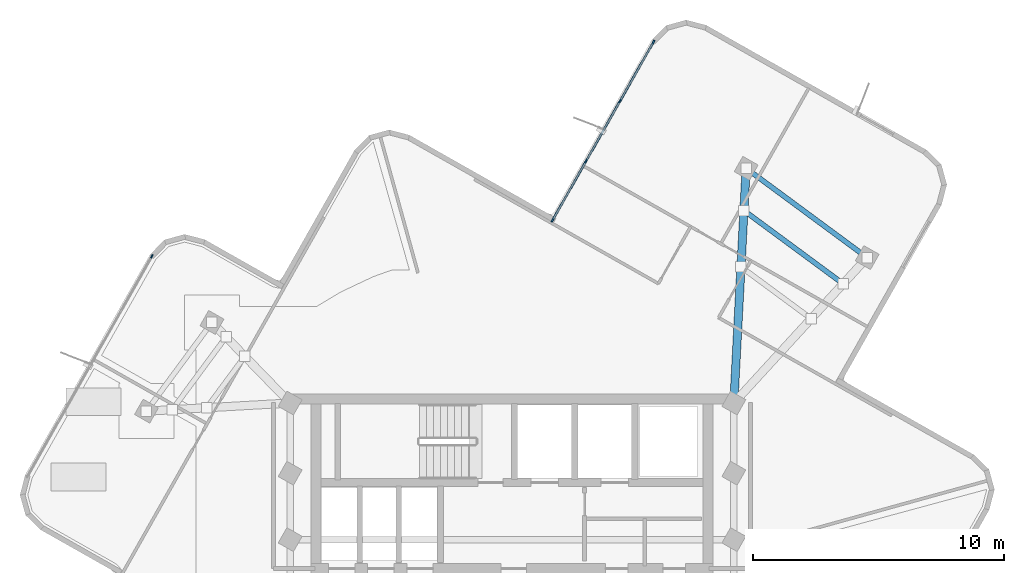
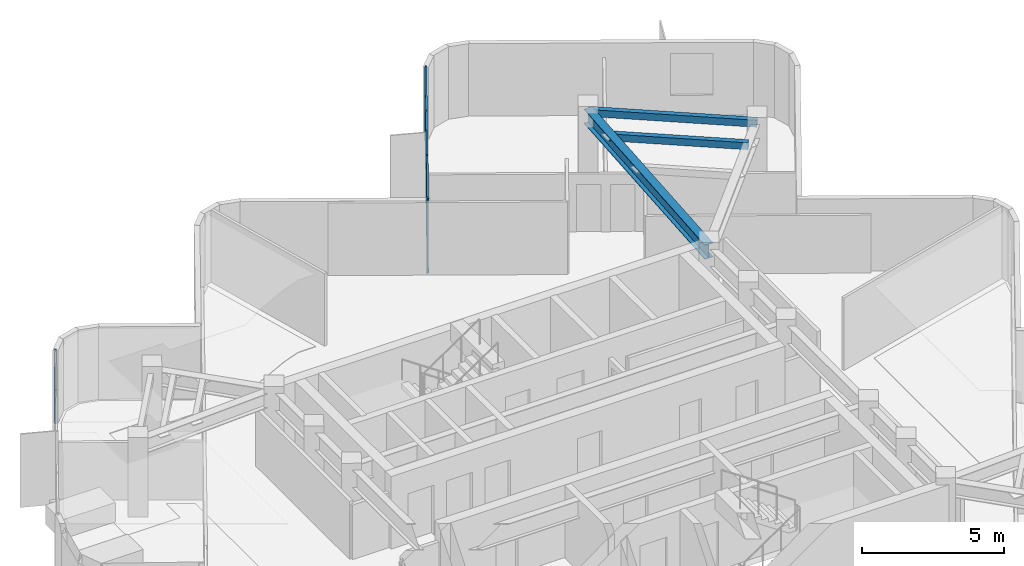
# One storey, part 4 of 11: 11 members, 3 beams, 2 elements without a shape of their own.
"""IFC4 building model written with IfcOpenShell, lengths in metres."""

import ifcopenshell
import ifcopenshell.guid

model = None  # the IFC model being written
_history = None  # IfcOwnerHistory: only IFC2X3 demands one
_inside = {}  # id of a spatial element -> (the spatial element, [elements in it])
_under = {}  # id of a project, library or spatial element -> (it, [spatial elements below it])
_declared = {}  # id of a project -> (the project, [libraries it declares])
_typed = {}  # id of a type object -> (the type object, [elements of that type])
_made_of = {}  # id of a material, layer set ... -> (it, [elements and type objects made of it])


def new_model(schema):
    """Start an empty IFC model of exactly this schema.

    Asked for "IFC4X3", IfcOpenShell would pick the latest addendum, in which some entities
    have other attributes; the version numbers below select the first issue.
    IFC2X3 requires an IfcOwnerHistory on every rooted entity: one is made here for all.
    """
    global model, _history
    if schema == "IFC4X3":
        model = ifcopenshell.file(schema_version=(4, 3, 0, 0))
    else:
        model = ifcopenshell.file(schema=schema)
    _inside.clear()
    _under.clear()
    _declared.clear()
    _typed.clear()
    _made_of.clear()
    _history = None
    if model.schema == "IFC2X3":
        org = make("IfcOrganization", Name="unknown")
        user = make(
            "IfcPersonAndOrganization",
            ThePerson=make("IfcPerson", FamilyName="unknown"),
            TheOrganization=org,
        )
        app = make(
            "IfcApplication",
            ApplicationDeveloper=org,
            Version="unknown",
            ApplicationFullName="unknown",
            ApplicationIdentifier="unknown",
        )
        _history = make(
            "IfcOwnerHistory",
            OwningUser=user,
            OwningApplication=app,
            ChangeAction="ADDED",
            CreationDate=0,
        )
    return model


def make(cls, **values):
    """One entity of the class cls with the attributes given. An attribute that is None is left unset."""
    return model.create_entity(
        cls, **{name: value for name, value in values.items() if value is not None}
    )


def rooted(cls, **values):
    """An entity with a GlobalId (a new one), such as an element, a storey or a relation."""
    return make(cls, GlobalId=ifcopenshell.guid.new(), OwnerHistory=_history, **values)


def si_unit(unit_type, name, prefix=None):
    """IfcSIUnit, for example si_unit("LENGTHUNIT", "METRE", prefix="MILLI")."""
    return make("IfcSIUnit", UnitType=unit_type, Prefix=prefix, Name=name)


def assignment(units):
    """IfcUnitAssignment: the units of a project."""
    return None if units is None else make("IfcUnitAssignment", Units=units)


def point(xyz):
    """IfcCartesianPoint."""
    return None if xyz is None else make("IfcCartesianPoint", Coordinates=xyz)


def direction(xyz):
    """IfcDirection."""
    return None if xyz is None else make("IfcDirection", DirectionRatios=xyz)


def frame(location, z_axis=None, x_axis=None):
    """IfcAxis2Placement3D, a coordinate frame: its origin and axes. An axis left out is left unset."""
    return make(
        "IfcAxis2Placement3D",
        Location=point(location),
        Axis=direction(z_axis),
        RefDirection=direction(x_axis),
    )


def frame_2d(location, x_axis=None):
    """IfcAxis2Placement2D, a coordinate frame in the plane: its origin and x axis."""
    return make(
        "IfcAxis2Placement2D", Location=point(location), RefDirection=direction(x_axis)
    )


def origin():
    """The frame at (0, 0, 0) with its axes left unset."""
    return frame((0.0, 0.0, 0.0))


def origin_2d():
    """The frame at (0, 0) in the plane with its x axis left unset."""
    return frame_2d((0.0, 0.0))


def place(relative_to, where):
    """IfcLocalPlacement: puts the frame where relative to a parent placement (None: the world)."""
    return make(
        "IfcLocalPlacement", PlacementRelTo=relative_to, RelativePlacement=where
    )


def context(
    kind, dimensions, precision=None, world=None, true_north=None, identifier=None
):
    """IfcGeometricRepresentationContext, for example the 3D "Model" context."""
    return make(
        "IfcGeometricRepresentationContext",
        ContextIdentifier=identifier,
        ContextType=kind,
        CoordinateSpaceDimension=dimensions,
        Precision=precision,
        WorldCoordinateSystem=world,
        TrueNorth=true_north,
    )


def subcontext(parent, identifier, kind, view, scale=None):
    """IfcGeometricRepresentationSubContext, for example "Body" below "Model"."""
    return make(
        "IfcGeometricRepresentationSubContext",
        ContextIdentifier=identifier,
        ContextType=kind,
        ParentContext=parent,
        TargetScale=scale,
        TargetView=view,
    )


def project(units=None, contexts=None):
    """IfcProject with its units and contexts."""
    return rooted(
        "IfcProject",
        Name="project",
        RepresentationContexts=contexts,
        UnitsInContext=assignment(units),
    )


def spatial(cls, under=None, at=None, **own):
    """A site, building, storey or space (cls), placed at a placement, below another one or the project."""
    s = rooted(cls, ObjectPlacement=at, **own)
    if under is not None:
        _under.setdefault(under.id(), (under, []))[1].append(s)
    return s


def profile(cls, at=None, kind="AREA", **sizes):
    """A parametric profile (cls). Its sizes go by their IFC names, for example OverallWidth=200.0."""
    return make(cls, ProfileType=kind, Position=at, **sizes)


def rectangle(**sizes):
    """IfcRectangleProfileDef."""
    return profile("IfcRectangleProfileDef", **sizes)


def hollow_rectangle(**sizes):
    """IfcRectangleHollowProfileDef."""
    return profile("IfcRectangleHollowProfileDef", **sizes)


def i_section(**sizes):
    """IfcIShapeProfileDef."""
    return profile("IfcIShapeProfileDef", **sizes)


def extrude(swept, where, along, depth):
    """IfcExtrudedAreaSolid: the profile swept, set in the frame where, extruded along a direction by depth."""
    return make(
        "IfcExtrudedAreaSolid",
        SweptArea=swept,
        Position=where,
        ExtrudedDirection=direction(along),
        Depth=depth,
    )


def shape(context_of_items, identifier, shape_type, items):
    """IfcShapeRepresentation: the items that make up one representation, for example the "Body"."""
    return make(
        "IfcShapeRepresentation",
        ContextOfItems=context_of_items,
        RepresentationIdentifier=identifier,
        RepresentationType=shape_type,
        Items=items,
    )


def material(Name=None, Category=None):
    """IfcMaterial."""
    return make("IfcMaterial", Name=Name, Category=Category)


def layer(
    of_material, thickness, ventilated=None, Name=None, Category=None, Priority=None
):
    """IfcMaterialLayer: one layer of a wall or slab, of a material (None: an air gap)."""
    return make(
        "IfcMaterialLayer",
        Material=of_material,
        LayerThickness=thickness,
        IsVentilated=ventilated,
        Name=Name,
        Category=Category,
        Priority=Priority,
    )


def layer_set(layers, Name=None):
    """IfcMaterialLayerSet."""
    return make("IfcMaterialLayerSet", MaterialLayers=layers, LayerSetName=Name)


def material_profile(
    of_material, cross_section, Name=None, Category=None, Priority=None
):
    """IfcMaterialProfile: a cross section and its material."""
    return make(
        "IfcMaterialProfile",
        Name=Name,
        Material=of_material,
        Profile=cross_section,
        Priority=Priority,
        Category=Category,
    )


def profile_set(profiles, Name=None, composite=None):
    """IfcMaterialProfileSet."""
    return make(
        "IfcMaterialProfileSet",
        Name=Name,
        MaterialProfiles=profiles,
        CompositeProfile=composite,
    )


def made_of(thing, what):
    """Note that an element or type object is made of a material, layer set ...; save() writes the relation."""
    if what is not None:
        _made_of.setdefault(what.id(), (what, []))[1].append(thing)
    return thing


def type_object(cls, material=None, **own):
    """A type object (cls), such as IfcWallType, which elements share."""
    return made_of(rooted(cls, **own), material)


def element(
    cls,
    number,
    at=None,
    inside=None,
    cuts=None,
    type_object=None,
    material=None,
    context=None,
    identifier="Body",
    shape_type=None,
    held_by="IfcProductDefinitionShape",
    body=None,
    shapes=None,
    **own,
):
    """One element of the class cls, such as IfcWall. Its Tag is "e" and its number.

    at: its placement. inside: the storey or other place that contains it. cuts: it is an
    opening in that element (IfcRelVoidsElement). A single representation is given by context,
    identifier, shape_type and body (its items); several are given by shapes. held_by: the class
    of the entity that holds the representations. save() writes the other relations.
    """
    e = rooted(cls, Tag="e%d" % number, ObjectPlacement=at, **own)
    if body is not None:
        shapes = [shape(context, identifier, shape_type, body)]
    if shapes is not None:
        e.Representation = make(held_by, Representations=shapes)
    if inside is not None:
        _inside.setdefault(inside.id(), (inside, []))[1].append(e)
    if cuts is not None:
        rooted(
            "IfcRelVoidsElement", RelatingBuildingElement=cuts, RelatedOpeningElement=e
        )
    if type_object is not None:
        _typed.setdefault(type_object.id(), (type_object, []))[1].append(e)
    return made_of(e, material)


def aggregate(whole, parts):
    """IfcRelAggregates: a whole, such as a stair, and the parts it consists of."""
    return rooted("IfcRelAggregates", RelatingObject=whole, RelatedObjects=parts)


def save(model, path):
    """Write the relations noted so far, then the file.

    IfcRelAggregates (storeys below a building ...), IfcRelContainedInSpatialStructure (elements
    in a storey), IfcRelDefinesByType, IfcRelAssociatesMaterial and IfcRelDeclares: one each for
    every whole, place, type object, material and project.
    """
    for whole, parts in _under.values():
        aggregate(whole, parts)
    for where, things in _inside.values():
        rooted(
            "IfcRelContainedInSpatialStructure",
            RelatedElements=things,
            RelatingStructure=where,
        )
    for kind, things in _typed.values():
        rooted("IfcRelDefinesByType", RelatedObjects=things, RelatingType=kind)
    for what, things in _made_of.values():
        rooted("IfcRelAssociatesMaterial", RelatedObjects=things, RelatingMaterial=what)
    for by, libraries in _declared.values():
        rooted("IfcRelDeclares", RelatingContext=by, RelatedDefinitions=libraries)
    model.write(path)


model = new_model("IFC4")

# Units and contexts
model_context = context("Model", 3, precision=1e-05, world=origin(), true_north=direction((0.0, 1.0)))
body_context = subcontext(model_context, "Body", "Model", "MODEL_VIEW")
ifc_project = project(units=[si_unit("LENGTHUNIT", "METRE"), si_unit("AREAUNIT", "SQUARE_METRE"), si_unit("VOLUMEUNIT", "CUBIC_METRE"), si_unit("PLANEANGLEUNIT", "RADIAN"), si_unit("MASSUNIT", "GRAM", prefix="KILO")], contexts=[model_context])

# Site, building, storey
site_placement = place(None, origin())
site = spatial("IfcSite", under=ifc_project, at=site_placement, CompositionType="ELEMENT")
building_placement = place(site_placement, origin())
building = spatial("IfcBuilding", under=site, at=building_placement, Name="Solmarez Civic Tower", CompositionType="ELEMENT")
storey_placement = place(building_placement, frame((0.0, 0.0, 281.699951171875)))
storey = spatial("IfcBuildingStorey", under=building, at=storey_placement, Name="L76", CompositionType="ELEMENT", Elevation=281.699951171875)

# Beams
ifc_material_1 = material(Name="Steel S355", Category="steel")
ifc_material_profile_1 = material_profile(ifc_material_1, hollow_rectangle(XDim=0.199951171875, YDim=0.300048828125, WallThickness=0.011962890625, at=origin_2d()), Name="HSS300X200X12")
ifc_profile_set_1 = profile_set([ifc_material_profile_1], Name="Steel S355")
beam_type_1 = type_object("IfcBeamType", Name="BM-JS-HSS300X200", PredefinedType="JOIST", material=ifc_profile_set_1)
beam_1_placement = place(storey_placement, frame((14.1689453125, 14.152099609375, 2.969970703125), z_axis=(-0.804687480311, 0.593698626434, 0.0), x_axis=(-0.593698626434, -0.804687480311, 0.0)))
element("IfcBeam", 1, at=beam_1_placement, inside=storey, type_object=beam_type_1, Name="L76 Secondary Floor Joist BM-L76-EA-T1", PredefinedType="JOIST", context=body_context, shape_type="SweptSolid", body=[
    extrude(hollow_rectangle(XDim=0.199951171875, YDim=0.300048828125, WallThickness=0.011962890625, at=origin_2d()), origin(), (0.0, 0.0, 1.0), 5.999755859375),
])
beam_2_placement = place(storey_placement, frame((13.2119140625, 13.10791015625, 2.969970703125), z_axis=(-0.804762606031, 0.593596789019, 0.0), x_axis=(-0.593596789019, -0.804762606031, 0.0)))
element("IfcBeam", 2, at=beam_2_placement, inside=storey, type_object=beam_type_1, Name="L76 Secondary Floor Joist JS-L76-EA-M12", PredefinedType="JOIST", context=body_context, shape_type="SweptSolid", body=[
    extrude(hollow_rectangle(XDim=0.199951171875, YDim=0.300048828125, WallThickness=0.011962890625, at=origin_2d()), origin(), (0.0, 0.0, 1.0), 4.91943359375),
])
ifc_material_profile_2 = material_profile(ifc_material_1, i_section(OverallWidth=0.327880859375, OverallDepth=0.6220703125, WebThickness=0.015380859375, FlangeThickness=0.0244140625, at=origin_2d()), Name="W24X131")
ifc_profile_set_2 = profile_set([ifc_material_profile_2], Name="Steel S355")
beam_type_2 = type_object("IfcBeamType", Name="BM-PR-W24X131", PredefinedType="BEAM", material=ifc_profile_set_2)
beam_3_placement = place(storey_placement, frame((8.85009765625, 8.35009765625, 2.80908203125), z_axis=(0.052359315135, 0.998628310293, 0.0), x_axis=(-0.998628310293, 0.052359315135, 0.0)))
element("IfcBeam", 3, at=beam_3_placement, inside=storey, type_object=beam_type_2, Name="L76 Primary Floor Beam BM-L76-EA-R1B", PredefinedType="BEAM", context=body_context, shape_type="SweptSolid", body=[
    extrude(i_section(OverallWidth=0.327880859375, OverallDepth=0.6220703125, WebThickness=0.015380859375, FlangeThickness=0.0244140625, at=origin_2d()), origin(), (0.0, 0.0, 1.0), 9.376953125),
])

# Curtain wall, member
ifc_material_2 = material(Name="Bronze Anodised Aluminium EN AW-6063 T6", Category="aluminium")
ifc_layer = layer(ifc_material_2, 0.1650390625)
ifc_layer_set = layer_set([ifc_layer], Name="Bronze Anodised Aluminium EN AW-6063 T6")
curtain_wall_type = type_object("IfcCurtainWallType", Name="CW-SYS-4", PredefinedType="NOTDEFINED", material=ifc_layer_set)
curtain_wall_1_placement = place(storey_placement, origin())
curtain_wall_1 = element("IfcCurtainWall", 4, at=curtain_wall_1_placement, inside=storey, type_object=curtain_wall_type, Name="L76 Stick-Built Curtain Wall 1", PredefinedType="NOTDEFINED")
ifc_material_profile_3 = material_profile(ifc_material_2, rectangle(XDim=0.06005859375, YDim=0.14990234375, at=origin_2d()), Name="CWM-60X150")
ifc_profile_set_3 = profile_set([ifc_material_profile_3], Name="Bronze Anodised Aluminium EN AW-6063 T6")
member_type_1 = type_object("IfcMemberType", Name="CWM-TYPE-4", PredefinedType="MULLION", material=ifc_profile_set_3)
member_1_placement = place(storey_placement, frame((-14.36669921875, 14.204833984375, 0.0), z_axis=(0.0, 0.0, 1.0), x_axis=(-0.87024806624, 0.492613746465, 0.0)))
member_1 = element("IfcMember", 5, at=member_1_placement, type_object=member_type_1, Name="CWS4 mullion 5", PredefinedType="MULLION", context=body_context, shape_type="SweptSolid", body=[
    extrude(rectangle(XDim=0.06005859375, YDim=0.14990234375, at=origin_2d()), origin(), (0.0, 0.0, 1.0), 3.1201171875),
])
aggregate(curtain_wall_1, [member_1])

# Curtain wall, members
curtain_wall_2_placement = place(storey_placement, origin())
curtain_wall_2 = element("IfcCurtainWall", 6, at=curtain_wall_2_placement, inside=storey, type_object=curtain_wall_type, Name="L76 Stick-Built Curtain Wall 2", PredefinedType="NOTDEFINED")
member_2_placement = place(storey_placement, frame((1.61376953125, 15.635009765625, 0.0), z_axis=(0.0, 0.0, 1.0), x_axis=(-0.870237225673, 0.492632896844, 0.0)))
member_2 = element("IfcMember", 7, at=member_2_placement, type_object=member_type_1, Name="CWS4 mullion 1", PredefinedType="MULLION", context=body_context, shape_type="SweptSolid", body=[
    extrude(rectangle(XDim=0.06005859375, YDim=0.14990234375, at=origin_2d()), origin(), (0.0, 0.0, 1.0), 3.1201171875),
])
member_3_placement = place(storey_placement, frame((2.952392578125, 17.999755859375, 0.0), z_axis=(0.0, 0.0, 1.0), x_axis=(-0.870237225673, 0.492632896844, 0.0)))
member_3 = element("IfcMember", 8, at=member_3_placement, type_object=member_type_1, Name="CWS4 mullion 2", PredefinedType="MULLION", context=body_context, shape_type="SweptSolid", body=[
    extrude(rectangle(XDim=0.06005859375, YDim=0.14990234375, at=origin_2d()), origin(), (0.0, 0.0, 1.0), 3.1201171875),
])
member_4_placement = place(storey_placement, frame((4.3056640625, 20.390380859375, 0.0), z_axis=(0.0, 0.0, 1.0), x_axis=(-0.870237225673, 0.492632896844, 0.0)))
member_4 = element("IfcMember", 9, at=member_4_placement, type_object=member_type_1, Name="CWS4 mullion 3", PredefinedType="MULLION", context=body_context, shape_type="SweptSolid", body=[
    extrude(rectangle(XDim=0.06005859375, YDim=0.14990234375, at=origin_2d()), origin(), (0.0, 0.0, 1.0), 3.1201171875),
])
member_5_placement = place(storey_placement, frame((5.644287109375, 22.7548828125, 0.0), z_axis=(0.0, 0.0, 1.0), x_axis=(-0.870237225673, 0.492632896844, 0.0)))
member_5 = element("IfcMember", 10, at=member_5_placement, type_object=member_type_1, Name="CWS4 mullion 4", PredefinedType="MULLION", context=body_context, shape_type="SweptSolid", body=[
    extrude(rectangle(XDim=0.06005859375, YDim=0.14990234375, at=origin_2d()), origin(), (0.0, 0.0, 1.0), 3.1201171875),
])
ifc_material_profile_4 = material_profile(ifc_material_2, rectangle(XDim=0.070068359375, YDim=0.139892578125, at=origin_2d()), Name="CWT-70X140")
ifc_profile_set_4 = profile_set([ifc_material_profile_4], Name="Bronze Anodised Aluminium EN AW-6063 T6")
member_type_2 = type_object("IfcMemberType", Name="CWT-TYPE-1", PredefinedType="USERDEFINED", material=ifc_profile_set_4)
member_6_placement = place(storey_placement, frame((1.628662109375, 15.6611328125, 0.03515625), z_axis=(0.492562770885, 0.870276919571, 0.0), x_axis=(-0.870276919571, 0.492562770885, 0.0)))
member_6 = element("IfcMember", 11, at=member_6_placement, type_object=member_type_2, Name="CWS4 transom 1.1", ObjectType="TRANSOM", PredefinedType="USERDEFINED", context=body_context, shape_type="SweptSolid", body=[
    extrude(rectangle(XDim=0.070068359375, YDim=0.139892578125, at=origin_2d()), origin(), (0.0, 0.0, 1.0), 2.6572265625),
])
member_7_placement = place(storey_placement, frame((1.628662109375, 15.6611328125, 3.0849609375), z_axis=(0.492562770885, 0.870276919571, 0.0), x_axis=(-0.870276919571, 0.492562770885, 0.0)))
member_7 = element("IfcMember", 12, at=member_7_placement, type_object=member_type_2, Name="CWS4 transom 1.2", ObjectType="TRANSOM", PredefinedType="USERDEFINED", context=body_context, shape_type="SweptSolid", body=[
    extrude(rectangle(XDim=0.070068359375, YDim=0.139892578125, at=origin_2d()), origin(), (0.0, 0.0, 1.0), 2.6572265625),
])
member_8_placement = place(storey_placement, frame((2.967041015625, 18.02587890625, 0.03515625), z_axis=(0.49263197583, 0.870237747049, 0.0), x_axis=(-0.870237747049, 0.49263197583, 0.0)))
member_8 = element("IfcMember", 13, at=member_8_placement, type_object=member_type_2, Name="CWS4 transom 2.1", ObjectType="TRANSOM", PredefinedType="USERDEFINED", context=body_context, shape_type="SweptSolid", body=[
    extrude(rectangle(XDim=0.070068359375, YDim=0.139892578125, at=origin_2d()), origin(), (0.0, 0.0, 1.0), 2.68701171875),
])
member_9_placement = place(storey_placement, frame((2.967041015625, 18.02587890625, 3.0849609375), z_axis=(0.49263197583, 0.870237747049, 0.0), x_axis=(-0.870237747049, 0.49263197583, 0.0)))
member_9 = element("IfcMember", 14, at=member_9_placement, type_object=member_type_2, Name="CWS4 transom 2.2", ObjectType="TRANSOM", PredefinedType="USERDEFINED", context=body_context, shape_type="SweptSolid", body=[
    extrude(rectangle(XDim=0.070068359375, YDim=0.139892578125, at=origin_2d()), origin(), (0.0, 0.0, 1.0), 2.68701171875),
])
member_10_placement = place(storey_placement, frame((4.320556640625, 20.41650390625, 0.03515625), z_axis=(0.49260215889, 0.870254625415, 0.0), x_axis=(-0.870254625415, 0.49260215889, 0.0)))
member_10 = element("IfcMember", 15, at=member_10_placement, type_object=member_type_2, Name="CWS4 transom 3.1", ObjectType="TRANSOM", PredefinedType="USERDEFINED", context=body_context, shape_type="SweptSolid", body=[
    extrude(rectangle(XDim=0.070068359375, YDim=0.139892578125, at=origin_2d()), origin(), (0.0, 0.0, 1.0), 2.656982421875),
])
member_11_placement = place(storey_placement, frame((4.320556640625, 20.41650390625, 3.0849609375), z_axis=(0.49260215889, 0.870254625415, 0.0), x_axis=(-0.870254625415, 0.49260215889, 0.0)))
member_11 = element("IfcMember", 16, at=member_11_placement, type_object=member_type_2, Name="CWS4 transom 3.2", ObjectType="TRANSOM", PredefinedType="USERDEFINED", context=body_context, shape_type="SweptSolid", body=[
    extrude(rectangle(XDim=0.070068359375, YDim=0.139892578125, at=origin_2d()), origin(), (0.0, 0.0, 1.0), 2.656982421875),
])
aggregate(curtain_wall_2, [member_2, member_3, member_4, member_5, member_6, member_7, member_8, member_9, member_10, member_11])

save(model, "model.ifc")
